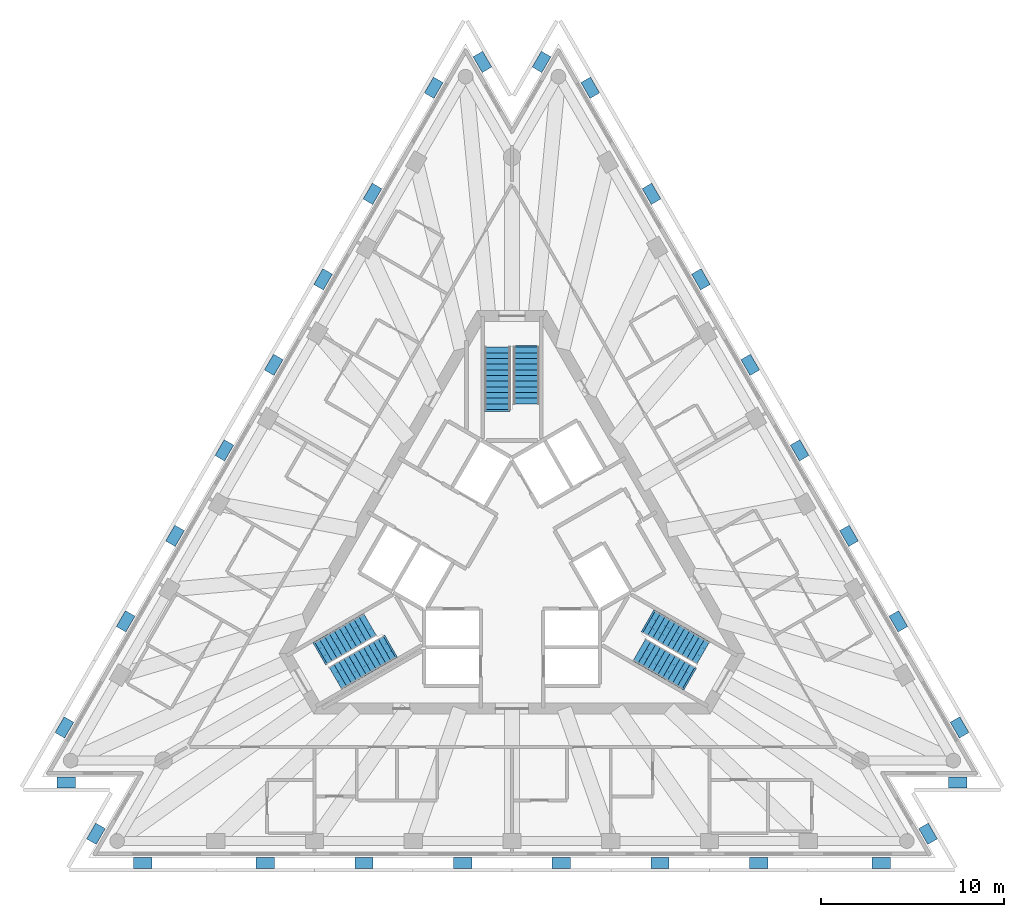
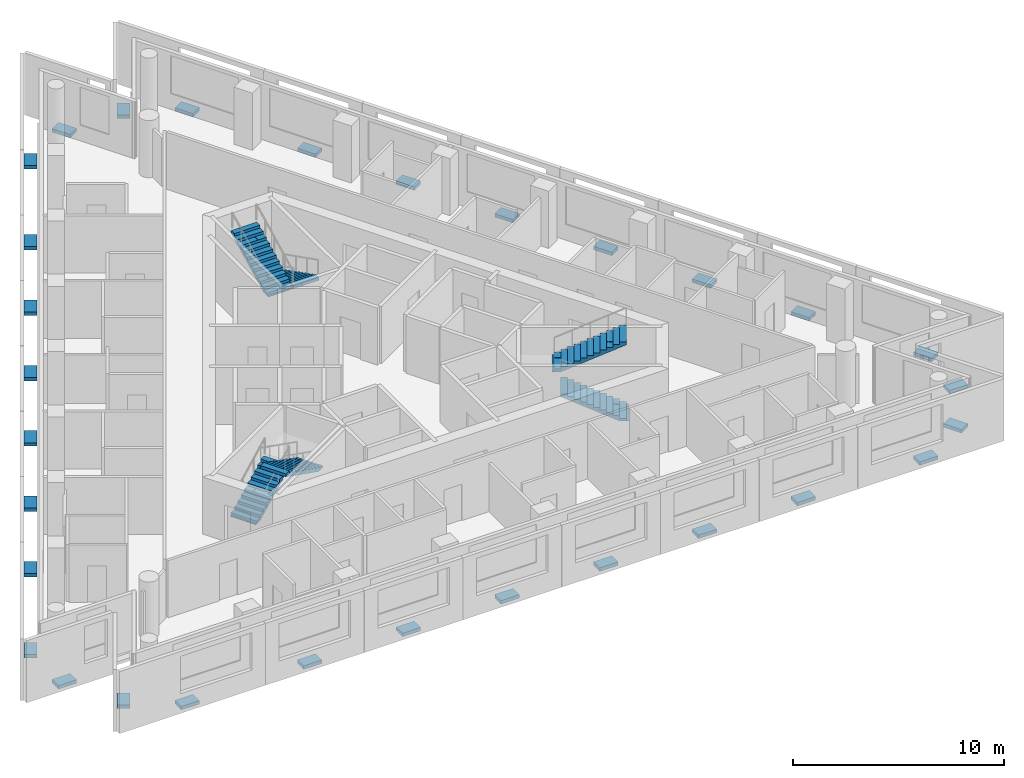
# One storey, part 8 of 10: 30 discrete accessories, 6 stair flights, 3 elements without a shape of their own.
"""IFC4 building model written with IfcOpenShell, lengths in metres."""

import ifcopenshell
import ifcopenshell.guid

model = None  # the IFC model being written
_history = None  # IfcOwnerHistory: only IFC2X3 demands one
_inside = {}  # id of a spatial element -> (the spatial element, [elements in it])
_under = {}  # id of a project, library or spatial element -> (it, [spatial elements below it])
_declared = {}  # id of a project -> (the project, [libraries it declares])
_typed = {}  # id of a type object -> (the type object, [elements of that type])
_made_of = {}  # id of a material, layer set ... -> (it, [elements and type objects made of it])


def new_model(schema):
    """Start an empty IFC model of exactly this schema.

    Asked for "IFC4X3", IfcOpenShell would pick the latest addendum, in which some entities
    have other attributes; the version numbers below select the first issue.
    IFC2X3 requires an IfcOwnerHistory on every rooted entity: one is made here for all.
    """
    global model, _history
    if schema == "IFC4X3":
        model = ifcopenshell.file(schema_version=(4, 3, 0, 0))
    else:
        model = ifcopenshell.file(schema=schema)
    _inside.clear()
    _under.clear()
    _declared.clear()
    _typed.clear()
    _made_of.clear()
    _history = None
    if model.schema == "IFC2X3":
        org = make("IfcOrganization", Name="unknown")
        user = make(
            "IfcPersonAndOrganization",
            ThePerson=make("IfcPerson", FamilyName="unknown"),
            TheOrganization=org,
        )
        app = make(
            "IfcApplication",
            ApplicationDeveloper=org,
            Version="unknown",
            ApplicationFullName="unknown",
            ApplicationIdentifier="unknown",
        )
        _history = make(
            "IfcOwnerHistory",
            OwningUser=user,
            OwningApplication=app,
            ChangeAction="ADDED",
            CreationDate=0,
        )
    return model


def make(cls, **values):
    """One entity of the class cls with the attributes given. An attribute that is None is left unset."""
    return model.create_entity(
        cls, **{name: value for name, value in values.items() if value is not None}
    )


def rooted(cls, **values):
    """An entity with a GlobalId (a new one), such as an element, a storey or a relation."""
    return make(cls, GlobalId=ifcopenshell.guid.new(), OwnerHistory=_history, **values)


def si_unit(unit_type, name, prefix=None):
    """IfcSIUnit, for example si_unit("LENGTHUNIT", "METRE", prefix="MILLI")."""
    return make("IfcSIUnit", UnitType=unit_type, Prefix=prefix, Name=name)


def assignment(units):
    """IfcUnitAssignment: the units of a project."""
    return None if units is None else make("IfcUnitAssignment", Units=units)


def point(xyz):
    """IfcCartesianPoint."""
    return None if xyz is None else make("IfcCartesianPoint", Coordinates=xyz)


def direction(xyz):
    """IfcDirection."""
    return None if xyz is None else make("IfcDirection", DirectionRatios=xyz)


def frame(location, z_axis=None, x_axis=None):
    """IfcAxis2Placement3D, a coordinate frame: its origin and axes. An axis left out is left unset."""
    return make(
        "IfcAxis2Placement3D",
        Location=point(location),
        Axis=direction(z_axis),
        RefDirection=direction(x_axis),
    )


def frame_2d(location, x_axis=None):
    """IfcAxis2Placement2D, a coordinate frame in the plane: its origin and x axis."""
    return make(
        "IfcAxis2Placement2D", Location=point(location), RefDirection=direction(x_axis)
    )


def origin():
    """The frame at (0, 0, 0) with its axes left unset."""
    return frame((0.0, 0.0, 0.0))


def origin_2d():
    """The frame at (0, 0) in the plane with its x axis left unset."""
    return frame_2d((0.0, 0.0))


def place(relative_to, where):
    """IfcLocalPlacement: puts the frame where relative to a parent placement (None: the world)."""
    return make(
        "IfcLocalPlacement", PlacementRelTo=relative_to, RelativePlacement=where
    )


def context(
    kind, dimensions, precision=None, world=None, true_north=None, identifier=None
):
    """IfcGeometricRepresentationContext, for example the 3D "Model" context."""
    return make(
        "IfcGeometricRepresentationContext",
        ContextIdentifier=identifier,
        ContextType=kind,
        CoordinateSpaceDimension=dimensions,
        Precision=precision,
        WorldCoordinateSystem=world,
        TrueNorth=true_north,
    )


def subcontext(parent, identifier, kind, view, scale=None):
    """IfcGeometricRepresentationSubContext, for example "Body" below "Model"."""
    return make(
        "IfcGeometricRepresentationSubContext",
        ContextIdentifier=identifier,
        ContextType=kind,
        ParentContext=parent,
        TargetScale=scale,
        TargetView=view,
    )


def project(units=None, contexts=None):
    """IfcProject with its units and contexts."""
    return rooted(
        "IfcProject",
        Name="project",
        RepresentationContexts=contexts,
        UnitsInContext=assignment(units),
    )


def spatial(cls, under=None, at=None, **own):
    """A site, building, storey or space (cls), placed at a placement, below another one or the project."""
    s = rooted(cls, ObjectPlacement=at, **own)
    if under is not None:
        _under.setdefault(under.id(), (under, []))[1].append(s)
    return s


def polyline(points):
    """IfcPolyline through the points."""
    return make("IfcPolyline", Points=[point(p) for p in points])


def profile(cls, at=None, kind="AREA", **sizes):
    """A parametric profile (cls). Its sizes go by their IFC names, for example OverallWidth=200.0."""
    return make(cls, ProfileType=kind, Position=at, **sizes)


def rectangle(**sizes):
    """IfcRectangleProfileDef."""
    return profile("IfcRectangleProfileDef", **sizes)


def outline(outer, holes=None, kind="AREA"):
    """IfcArbitraryClosedProfileDef: a profile drawn as a closed curve; with holes, ...WithVoids."""
    if holes is None:
        return make("IfcArbitraryClosedProfileDef", ProfileType=kind, OuterCurve=outer)
    return make(
        "IfcArbitraryProfileDefWithVoids",
        ProfileType=kind,
        OuterCurve=outer,
        InnerCurves=holes,
    )


def extrude(swept, where, along, depth):
    """IfcExtrudedAreaSolid: the profile swept, set in the frame where, extruded along a direction by depth."""
    return make(
        "IfcExtrudedAreaSolid",
        SweptArea=swept,
        Position=where,
        ExtrudedDirection=direction(along),
        Depth=depth,
    )


def shape(context_of_items, identifier, shape_type, items):
    """IfcShapeRepresentation: the items that make up one representation, for example the "Body"."""
    return make(
        "IfcShapeRepresentation",
        ContextOfItems=context_of_items,
        RepresentationIdentifier=identifier,
        RepresentationType=shape_type,
        Items=items,
    )


def material(Name=None, Category=None):
    """IfcMaterial."""
    return make("IfcMaterial", Name=Name, Category=Category)


def made_of(thing, what):
    """Note that an element or type object is made of a material, layer set ...; save() writes the relation."""
    if what is not None:
        _made_of.setdefault(what.id(), (what, []))[1].append(thing)
    return thing


def type_object(cls, material=None, **own):
    """A type object (cls), such as IfcWallType, which elements share."""
    return made_of(rooted(cls, **own), material)


def element(
    cls,
    number,
    at=None,
    inside=None,
    cuts=None,
    type_object=None,
    material=None,
    context=None,
    identifier="Body",
    shape_type=None,
    held_by="IfcProductDefinitionShape",
    body=None,
    shapes=None,
    **own,
):
    """One element of the class cls, such as IfcWall. Its Tag is "e" and its number.

    at: its placement. inside: the storey or other place that contains it. cuts: it is an
    opening in that element (IfcRelVoidsElement). A single representation is given by context,
    identifier, shape_type and body (its items); several are given by shapes. held_by: the class
    of the entity that holds the representations. save() writes the other relations.
    """
    e = rooted(cls, Tag="e%d" % number, ObjectPlacement=at, **own)
    if body is not None:
        shapes = [shape(context, identifier, shape_type, body)]
    if shapes is not None:
        e.Representation = make(held_by, Representations=shapes)
    if inside is not None:
        _inside.setdefault(inside.id(), (inside, []))[1].append(e)
    if cuts is not None:
        rooted(
            "IfcRelVoidsElement", RelatingBuildingElement=cuts, RelatedOpeningElement=e
        )
    if type_object is not None:
        _typed.setdefault(type_object.id(), (type_object, []))[1].append(e)
    return made_of(e, material)


def aggregate(whole, parts):
    """IfcRelAggregates: a whole, such as a stair, and the parts it consists of."""
    return rooted("IfcRelAggregates", RelatingObject=whole, RelatedObjects=parts)


def save(model, path):
    """Write the relations noted so far, then the file.

    IfcRelAggregates (storeys below a building ...), IfcRelContainedInSpatialStructure (elements
    in a storey), IfcRelDefinesByType, IfcRelAssociatesMaterial and IfcRelDeclares: one each for
    every whole, place, type object, material and project.
    """
    for whole, parts in _under.values():
        aggregate(whole, parts)
    for where, things in _inside.values():
        rooted(
            "IfcRelContainedInSpatialStructure",
            RelatedElements=things,
            RelatingStructure=where,
        )
    for kind, things in _typed.values():
        rooted("IfcRelDefinesByType", RelatedObjects=things, RelatingType=kind)
    for what, things in _made_of.values():
        rooted("IfcRelAssociatesMaterial", RelatedObjects=things, RelatingMaterial=what)
    for by, libraries in _declared.values():
        rooted("IfcRelDeclares", RelatingContext=by, RelatedDefinitions=libraries)
    model.write(path)


model = new_model("IFC4")

# Units and contexts
model_context = context("Model", 3, precision=1e-05, world=origin(), true_north=direction((0.0, 1.0)))
body_context = subcontext(model_context, "Body", "Model", "MODEL_VIEW")
ifc_project = project(units=[si_unit("LENGTHUNIT", "METRE"), si_unit("AREAUNIT", "SQUARE_METRE"), si_unit("VOLUMEUNIT", "CUBIC_METRE"), si_unit("PLANEANGLEUNIT", "RADIAN"), si_unit("MASSUNIT", "GRAM", prefix="KILO")], contexts=[model_context])

# Site, building, storey
site_placement = place(None, origin())
site = spatial("IfcSite", under=ifc_project, at=site_placement, CompositionType="ELEMENT")
building_placement = place(site_placement, origin())
building = spatial("IfcBuilding", under=site, at=building_placement, Name="Triada Interchange Tower", CompositionType="ELEMENT")
storey_placement = place(building_placement, frame((0.0, 0.0, 297.10009765625)))
storey = spatial("IfcBuildingStorey", under=building, at=storey_placement, Name="L70", CompositionType="ELEMENT", Elevation=297.10009765625)

# Stair, stair flights
ifc_material_1 = material(Name="Concrete C35/45", Category="concrete")
stair_type = type_object("IfcStairType", Name="HALF TURN STAIR 1400", PredefinedType="HALF_TURN_STAIR", material=ifc_material_1)
stair_1_placement = place(storey_placement, origin())
stair_1 = element("IfcStair", 1, at=stair_1_placement, inside=storey, type_object=stair_type, Name="Exit stair S68-1", PredefinedType="HALF_TURN_STAIR")
stair_flight_type = type_object("IfcStairFlightType", Name="STRAIGHT STAIR FLIGHT 1400", PredefinedType="STRAIGHT", material=ifc_material_1)
stair_flight_1_placement = place(storey_placement, frame((0.800048828125, 11.60009765625, 0.0), z_axis=(0.0, 0.0, 1.0), x_axis=(0.0, -1.0, 0.0)))
stair_flight_1 = element("IfcStairFlight", 2, at=stair_flight_1_placement, type_object=stair_flight_type, Name="S68-1 flight 1", NumberOfRisers=11, NumberOfTreads=10, PredefinedType="STRAIGHT", RiserHeight=0.15652, TreadLength=0.31, context=body_context, shape_type="SweptSolid", body=[
    extrude(outline(polyline([(-0.10009765625, 0.0), (-0.10009765625, 0.02001953125), (0.0, 0.02001953125), (0.0, 0.156494140625), (0.31005859375, 0.156494140625), (0.31005859375, 0.31298828125), (0.6201171875, 0.31298828125), (0.6201171875, 0.469482421875), (0.929931640625, 0.469482421875), (0.929931640625, 0.6259765625), (1.239990234375, 0.6259765625), (1.239990234375, 0.78271484375), (1.550048828125, 0.78271484375), (1.550048828125, 0.939208984375), (1.860107421875, 0.939208984375), (1.860107421875, 1.095703125), (2.169921875, 1.095703125), (2.169921875, 1.252197265625), (2.47998046875, 1.252197265625), (2.47998046875, 1.40869140625), (2.7900390625, 1.40869140625), (2.7900390625, 1.565185546875), (3.10009765625, 1.565185546875), (3.10400390625, 1.565185546875), (3.10400390625, 1.7216796875), (3.10400390625, 1.397216796875), (0.33251953125, 0.0), (-0.10009765625, 0.0)])), frame((0.0, 0.699951171875, 0.0), z_axis=(0.0, -1.0, 0.0), x_axis=(1.0, 0.0, 0.0)), (0.0, 0.0, 1.0), 0.46533203125),
    extrude(outline(polyline([(-0.10009765625, 0.0), (-0.10009765625, 0.02001953125), (0.0, 0.02001953125), (0.0, 0.156494140625), (0.31005859375, 0.156494140625), (0.31005859375, 0.31298828125), (0.6201171875, 0.31298828125), (0.6201171875, 0.469482421875), (0.929931640625, 0.469482421875), (0.929931640625, 0.6259765625), (1.239990234375, 0.6259765625), (1.239990234375, 0.78271484375), (1.550048828125, 0.78271484375), (1.550048828125, 0.939208984375), (1.860107421875, 0.939208984375), (1.860107421875, 1.095703125), (2.169921875, 1.095703125), (2.169921875, 1.252197265625), (2.47998046875, 1.252197265625), (2.47998046875, 1.40869140625), (2.7900390625, 1.40869140625), (2.7900390625, 1.565185546875), (3.10009765625, 1.565185546875), (3.10400390625, 1.565185546875), (3.10400390625, 1.7216796875), (3.10400390625, 1.397216796875), (0.33251953125, 0.0), (-0.10009765625, 0.0)])), frame((0.0, 0.232666015625, 0.0), z_axis=(0.0, -1.0, 0.0), x_axis=(1.0, 0.0, 0.0)), (0.0, 0.0, 1.0), 0.46533203125),
    extrude(outline(polyline([(-0.10009765625, 0.0), (-0.10009765625, 0.02001953125), (0.0, 0.02001953125), (0.0, 0.156494140625), (0.31005859375, 0.156494140625), (0.31005859375, 0.31298828125), (0.6201171875, 0.31298828125), (0.6201171875, 0.469482421875), (0.929931640625, 0.469482421875), (0.929931640625, 0.6259765625), (1.239990234375, 0.6259765625), (1.239990234375, 0.78271484375), (1.550048828125, 0.78271484375), (1.550048828125, 0.939208984375), (1.860107421875, 0.939208984375), (1.860107421875, 1.095703125), (2.169921875, 1.095703125), (2.169921875, 1.252197265625), (2.47998046875, 1.252197265625), (2.47998046875, 1.40869140625), (2.7900390625, 1.40869140625), (2.7900390625, 1.565185546875), (3.10009765625, 1.565185546875), (3.10400390625, 1.565185546875), (3.10400390625, 1.7216796875), (3.10400390625, 1.397216796875), (0.33251953125, 0.0), (-0.10009765625, 0.0)])), frame((0.0, -0.234619140625, 0.0), z_axis=(0.0, -1.0, 0.0), x_axis=(1.0, 0.0, 0.0)), (0.0, 0.0, 1.0), 0.46533203125),
])
stair_flight_2_placement = place(storey_placement, frame((-0.800048828125, 8.18994140625, 1.7216796875), z_axis=(0.0, 0.0, 1.0), x_axis=(0.0, 1.0, 0.0)))
stair_flight_2 = element("IfcStairFlight", 3, at=stair_flight_2_placement, type_object=stair_flight_type, Name="S68-1 flight 2", NumberOfRisers=12, NumberOfTreads=11, PredefinedType="STRAIGHT", RiserHeight=0.15652, TreadLength=0.31, context=body_context, shape_type="SweptSolid", body=[
    extrude(outline(polyline([(-0.10009765625, 0.0), (-0.10009765625, 0.02001953125), (0.0, 0.02001953125), (0.0, 0.156494140625), (0.31005859375, 0.156494140625), (0.31005859375, 0.31298828125), (0.6201171875, 0.31298828125), (0.6201171875, 0.469482421875), (0.929931640625, 0.469482421875), (0.929931640625, 0.6259765625), (1.239990234375, 0.6259765625), (1.239990234375, 0.78271484375), (1.550048828125, 0.78271484375), (1.550048828125, 0.939208984375), (1.860107421875, 0.939208984375), (1.860107421875, 1.095703125), (2.169921875, 1.095703125), (2.169921875, 1.252197265625), (2.47998046875, 1.252197265625), (2.47998046875, 1.40869140625), (2.7900390625, 1.40869140625), (2.7900390625, 1.565185546875), (3.10009765625, 1.565185546875), (3.10009765625, 1.7216796875), (3.409912109375, 1.7216796875), (3.4140625, 1.7216796875), (3.4140625, 1.878173828125), (3.4140625, 1.5537109375), (0.33251953125, 0.0), (-0.10009765625, 0.0)])), frame((0.0, 0.699951171875, 0.0), z_axis=(0.0, -1.0, 0.0), x_axis=(1.0, 0.0, 0.0)), (0.0, 0.0, 1.0), 0.46533203125),
    extrude(outline(polyline([(-0.10009765625, 0.0), (-0.10009765625, 0.02001953125), (0.0, 0.02001953125), (0.0, 0.156494140625), (0.31005859375, 0.156494140625), (0.31005859375, 0.31298828125), (0.6201171875, 0.31298828125), (0.6201171875, 0.469482421875), (0.929931640625, 0.469482421875), (0.929931640625, 0.6259765625), (1.239990234375, 0.6259765625), (1.239990234375, 0.78271484375), (1.550048828125, 0.78271484375), (1.550048828125, 0.939208984375), (1.860107421875, 0.939208984375), (1.860107421875, 1.095703125), (2.169921875, 1.095703125), (2.169921875, 1.252197265625), (2.47998046875, 1.252197265625), (2.47998046875, 1.40869140625), (2.7900390625, 1.40869140625), (2.7900390625, 1.565185546875), (3.10009765625, 1.565185546875), (3.10009765625, 1.7216796875), (3.409912109375, 1.7216796875), (3.4140625, 1.7216796875), (3.4140625, 1.878173828125), (3.4140625, 1.5537109375), (0.33251953125, 0.0), (-0.10009765625, 0.0)])), frame((0.0, 0.232666015625, 0.0), z_axis=(0.0, -1.0, 0.0), x_axis=(1.0, 0.0, 0.0)), (0.0, 0.0, 1.0), 0.46533203125),
    extrude(outline(polyline([(-0.10009765625, 0.0), (-0.10009765625, 0.02001953125), (0.0, 0.02001953125), (0.0, 0.156494140625), (0.31005859375, 0.156494140625), (0.31005859375, 0.31298828125), (0.6201171875, 0.31298828125), (0.6201171875, 0.469482421875), (0.929931640625, 0.469482421875), (0.929931640625, 0.6259765625), (1.239990234375, 0.6259765625), (1.239990234375, 0.78271484375), (1.550048828125, 0.78271484375), (1.550048828125, 0.939208984375), (1.860107421875, 0.939208984375), (1.860107421875, 1.095703125), (2.169921875, 1.095703125), (2.169921875, 1.252197265625), (2.47998046875, 1.252197265625), (2.47998046875, 1.40869140625), (2.7900390625, 1.40869140625), (2.7900390625, 1.565185546875), (3.10009765625, 1.565185546875), (3.10009765625, 1.7216796875), (3.409912109375, 1.7216796875), (3.4140625, 1.7216796875), (3.4140625, 1.878173828125), (3.4140625, 1.5537109375), (0.33251953125, 0.0), (-0.10009765625, 0.0)])), frame((0.0, -0.234619140625, 0.0), z_axis=(0.0, -1.0, 0.0), x_axis=(1.0, 0.0, 0.0)), (0.0, 0.0, 1.0), 0.46533203125),
])
aggregate(stair_1, [stair_flight_1, stair_flight_2])

stair_2_placement = place(storey_placement, origin())
stair_2 = element("IfcStair", 4, at=stair_2_placement, inside=storey, type_object=stair_type, Name="Exit stair S68-2", PredefinedType="HALF_TURN_STAIR")
stair_flight_3_placement = place(storey_placement, frame((-10.446044921875, -5.10693359375, 0.0), z_axis=(0.0, 0.0, 1.0), x_axis=(0.866025403784, 0.5, 0.0)))
stair_flight_3 = element("IfcStairFlight", 5, at=stair_flight_3_placement, type_object=stair_flight_type, Name="S68-2 flight 1", NumberOfRisers=11, NumberOfTreads=10, PredefinedType="STRAIGHT", RiserHeight=0.15652, TreadLength=0.31, context=body_context, shape_type="SweptSolid", body=[
    extrude(outline(polyline([(-0.10009765625, 0.0), (-0.10009765625, 0.02001953125), (0.0, 0.02001953125), (0.0, 0.156494140625), (0.31005859375, 0.156494140625), (0.31005859375, 0.31298828125), (0.6201171875, 0.31298828125), (0.6201171875, 0.469482421875), (0.929931640625, 0.469482421875), (0.929931640625, 0.6259765625), (1.239990234375, 0.6259765625), (1.239990234375, 0.78271484375), (1.550048828125, 0.78271484375), (1.550048828125, 0.939208984375), (1.860107421875, 0.939208984375), (1.860107421875, 1.095703125), (2.169921875, 1.095703125), (2.169921875, 1.252197265625), (2.47998046875, 1.252197265625), (2.47998046875, 1.40869140625), (2.7900390625, 1.40869140625), (2.7900390625, 1.565185546875), (3.10009765625, 1.565185546875), (3.10400390625, 1.565185546875), (3.10400390625, 1.7216796875), (3.10400390625, 1.397216796875), (0.33251953125, 0.0), (-0.10009765625, 0.0)])), frame((0.0, 0.699951171875, 0.0), z_axis=(0.0, -1.0, 0.0), x_axis=(1.0, 0.0, 0.0)), (0.0, 0.0, 1.0), 0.46533203125),
    extrude(outline(polyline([(-0.10009765625, 0.0), (-0.10009765625, 0.02001953125), (0.0, 0.02001953125), (0.0, 0.156494140625), (0.31005859375, 0.156494140625), (0.31005859375, 0.31298828125), (0.6201171875, 0.31298828125), (0.6201171875, 0.469482421875), (0.929931640625, 0.469482421875), (0.929931640625, 0.6259765625), (1.239990234375, 0.6259765625), (1.239990234375, 0.78271484375), (1.550048828125, 0.78271484375), (1.550048828125, 0.939208984375), (1.860107421875, 0.939208984375), (1.860107421875, 1.095703125), (2.169921875, 1.095703125), (2.169921875, 1.252197265625), (2.47998046875, 1.252197265625), (2.47998046875, 1.40869140625), (2.7900390625, 1.40869140625), (2.7900390625, 1.565185546875), (3.10009765625, 1.565185546875), (3.10400390625, 1.565185546875), (3.10400390625, 1.7216796875), (3.10400390625, 1.397216796875), (0.33251953125, 0.0), (-0.10009765625, 0.0)])), frame((0.0, 0.232666015625, 0.0), z_axis=(0.0, -1.0, 0.0), x_axis=(1.0, 0.0, 0.0)), (0.0, 0.0, 1.0), 0.46533203125),
    extrude(outline(polyline([(-0.10009765625, 0.0), (-0.10009765625, 0.02001953125), (0.0, 0.02001953125), (0.0, 0.156494140625), (0.31005859375, 0.156494140625), (0.31005859375, 0.31298828125), (0.6201171875, 0.31298828125), (0.6201171875, 0.469482421875), (0.929931640625, 0.469482421875), (0.929931640625, 0.6259765625), (1.239990234375, 0.6259765625), (1.239990234375, 0.78271484375), (1.550048828125, 0.78271484375), (1.550048828125, 0.939208984375), (1.860107421875, 0.939208984375), (1.860107421875, 1.095703125), (2.169921875, 1.095703125), (2.169921875, 1.252197265625), (2.47998046875, 1.252197265625), (2.47998046875, 1.40869140625), (2.7900390625, 1.40869140625), (2.7900390625, 1.565185546875), (3.10009765625, 1.565185546875), (3.10400390625, 1.565185546875), (3.10400390625, 1.7216796875), (3.10400390625, 1.397216796875), (0.33251953125, 0.0), (-0.10009765625, 0.0)])), frame((0.0, -0.234619140625, 0.0), z_axis=(0.0, -1.0, 0.0), x_axis=(1.0, 0.0, 0.0)), (0.0, 0.0, 1.0), 0.46533203125),
])
stair_flight_4_placement = place(storey_placement, frame((-6.693115234375, -4.7880859375, 1.7216796875), z_axis=(0.0, 0.0, 1.0), x_axis=(-0.866025403784, -0.5, 0.0)))
stair_flight_4 = element("IfcStairFlight", 6, at=stair_flight_4_placement, type_object=stair_flight_type, Name="S68-2 flight 2", NumberOfRisers=12, NumberOfTreads=11, PredefinedType="STRAIGHT", RiserHeight=0.15652, TreadLength=0.31, context=body_context, shape_type="SweptSolid", body=[
    extrude(outline(polyline([(-0.10009765625, 0.0), (-0.10009765625, 0.02001953125), (0.0, 0.02001953125), (0.0, 0.156494140625), (0.31005859375, 0.156494140625), (0.31005859375, 0.31298828125), (0.6201171875, 0.31298828125), (0.6201171875, 0.469482421875), (0.929931640625, 0.469482421875), (0.929931640625, 0.6259765625), (1.239990234375, 0.6259765625), (1.239990234375, 0.78271484375), (1.550048828125, 0.78271484375), (1.550048828125, 0.939208984375), (1.860107421875, 0.939208984375), (1.860107421875, 1.095703125), (2.169921875, 1.095703125), (2.169921875, 1.252197265625), (2.47998046875, 1.252197265625), (2.47998046875, 1.40869140625), (2.7900390625, 1.40869140625), (2.7900390625, 1.565185546875), (3.10009765625, 1.565185546875), (3.10009765625, 1.7216796875), (3.409912109375, 1.7216796875), (3.4140625, 1.7216796875), (3.4140625, 1.878173828125), (3.4140625, 1.5537109375), (0.33251953125, 0.0), (-0.10009765625, 0.0)])), frame((0.0, 0.699951171875, 0.0), z_axis=(0.0, -1.0, 0.0), x_axis=(1.0, 0.0, 0.0)), (0.0, 0.0, 1.0), 0.46533203125),
    extrude(outline(polyline([(-0.10009765625, 0.0), (-0.10009765625, 0.02001953125), (0.0, 0.02001953125), (0.0, 0.156494140625), (0.31005859375, 0.156494140625), (0.31005859375, 0.31298828125), (0.6201171875, 0.31298828125), (0.6201171875, 0.469482421875), (0.929931640625, 0.469482421875), (0.929931640625, 0.6259765625), (1.239990234375, 0.6259765625), (1.239990234375, 0.78271484375), (1.550048828125, 0.78271484375), (1.550048828125, 0.939208984375), (1.860107421875, 0.939208984375), (1.860107421875, 1.095703125), (2.169921875, 1.095703125), (2.169921875, 1.252197265625), (2.47998046875, 1.252197265625), (2.47998046875, 1.40869140625), (2.7900390625, 1.40869140625), (2.7900390625, 1.565185546875), (3.10009765625, 1.565185546875), (3.10009765625, 1.7216796875), (3.409912109375, 1.7216796875), (3.4140625, 1.7216796875), (3.4140625, 1.878173828125), (3.4140625, 1.5537109375), (0.33251953125, 0.0), (-0.10009765625, 0.0)])), frame((0.0, 0.232666015625, 0.0), z_axis=(0.0, -1.0, 0.0), x_axis=(1.0, 0.0, 0.0)), (0.0, 0.0, 1.0), 0.46533203125),
    extrude(outline(polyline([(-0.10009765625, 0.0), (-0.10009765625, 0.02001953125), (0.0, 0.02001953125), (0.0, 0.156494140625), (0.31005859375, 0.156494140625), (0.31005859375, 0.31298828125), (0.6201171875, 0.31298828125), (0.6201171875, 0.469482421875), (0.929931640625, 0.469482421875), (0.929931640625, 0.6259765625), (1.239990234375, 0.6259765625), (1.239990234375, 0.78271484375), (1.550048828125, 0.78271484375), (1.550048828125, 0.939208984375), (1.860107421875, 0.939208984375), (1.860107421875, 1.095703125), (2.169921875, 1.095703125), (2.169921875, 1.252197265625), (2.47998046875, 1.252197265625), (2.47998046875, 1.40869140625), (2.7900390625, 1.40869140625), (2.7900390625, 1.565185546875), (3.10009765625, 1.565185546875), (3.10009765625, 1.7216796875), (3.409912109375, 1.7216796875), (3.4140625, 1.7216796875), (3.4140625, 1.878173828125), (3.4140625, 1.5537109375), (0.33251953125, 0.0), (-0.10009765625, 0.0)])), frame((0.0, -0.234619140625, 0.0), z_axis=(0.0, -1.0, 0.0), x_axis=(1.0, 0.0, 0.0)), (0.0, 0.0, 1.0), 0.46533203125),
])
aggregate(stair_2, [stair_flight_3, stair_flight_4])

stair_3_placement = place(storey_placement, origin())
stair_3 = element("IfcStair", 7, at=stair_3_placement, inside=storey, type_object=stair_type, Name="Exit stair S68-3", PredefinedType="HALF_TURN_STAIR")
stair_flight_5_placement = place(storey_placement, frame((9.64599609375, -6.492919921875, 0.0), z_axis=(0.0, 0.0, 1.0), x_axis=(-0.866025403784, 0.5, 0.0)))
stair_flight_5 = element("IfcStairFlight", 8, at=stair_flight_5_placement, type_object=stair_flight_type, Name="S68-3 flight 1", NumberOfRisers=11, NumberOfTreads=10, PredefinedType="STRAIGHT", RiserHeight=0.15652, TreadLength=0.31, context=body_context, shape_type="SweptSolid", body=[
    extrude(outline(polyline([(-0.10009765625, 0.0), (-0.10009765625, 0.02001953125), (0.0, 0.02001953125), (0.0, 0.156494140625), (0.31005859375, 0.156494140625), (0.31005859375, 0.31298828125), (0.6201171875, 0.31298828125), (0.6201171875, 0.469482421875), (0.929931640625, 0.469482421875), (0.929931640625, 0.6259765625), (1.239990234375, 0.6259765625), (1.239990234375, 0.78271484375), (1.550048828125, 0.78271484375), (1.550048828125, 0.939208984375), (1.860107421875, 0.939208984375), (1.860107421875, 1.095703125), (2.169921875, 1.095703125), (2.169921875, 1.252197265625), (2.47998046875, 1.252197265625), (2.47998046875, 1.40869140625), (2.7900390625, 1.40869140625), (2.7900390625, 1.565185546875), (3.10009765625, 1.565185546875), (3.10400390625, 1.565185546875), (3.10400390625, 1.7216796875), (3.10400390625, 1.397216796875), (0.33251953125, 0.0), (-0.10009765625, 0.0)])), frame((0.0, 0.699951171875, 0.0), z_axis=(0.0, -1.0, 0.0), x_axis=(1.0, 0.0, 0.0)), (0.0, 0.0, 1.0), 0.46533203125),
    extrude(outline(polyline([(-0.10009765625, 0.0), (-0.10009765625, 0.02001953125), (0.0, 0.02001953125), (0.0, 0.156494140625), (0.31005859375, 0.156494140625), (0.31005859375, 0.31298828125), (0.6201171875, 0.31298828125), (0.6201171875, 0.469482421875), (0.929931640625, 0.469482421875), (0.929931640625, 0.6259765625), (1.239990234375, 0.6259765625), (1.239990234375, 0.78271484375), (1.550048828125, 0.78271484375), (1.550048828125, 0.939208984375), (1.860107421875, 0.939208984375), (1.860107421875, 1.095703125), (2.169921875, 1.095703125), (2.169921875, 1.252197265625), (2.47998046875, 1.252197265625), (2.47998046875, 1.40869140625), (2.7900390625, 1.40869140625), (2.7900390625, 1.565185546875), (3.10009765625, 1.565185546875), (3.10400390625, 1.565185546875), (3.10400390625, 1.7216796875), (3.10400390625, 1.397216796875), (0.33251953125, 0.0), (-0.10009765625, 0.0)])), frame((0.0, 0.232666015625, 0.0), z_axis=(0.0, -1.0, 0.0), x_axis=(1.0, 0.0, 0.0)), (0.0, 0.0, 1.0), 0.46533203125),
    extrude(outline(polyline([(-0.10009765625, 0.0), (-0.10009765625, 0.02001953125), (0.0, 0.02001953125), (0.0, 0.156494140625), (0.31005859375, 0.156494140625), (0.31005859375, 0.31298828125), (0.6201171875, 0.31298828125), (0.6201171875, 0.469482421875), (0.929931640625, 0.469482421875), (0.929931640625, 0.6259765625), (1.239990234375, 0.6259765625), (1.239990234375, 0.78271484375), (1.550048828125, 0.78271484375), (1.550048828125, 0.939208984375), (1.860107421875, 0.939208984375), (1.860107421875, 1.095703125), (2.169921875, 1.095703125), (2.169921875, 1.252197265625), (2.47998046875, 1.252197265625), (2.47998046875, 1.40869140625), (2.7900390625, 1.40869140625), (2.7900390625, 1.565185546875), (3.10009765625, 1.565185546875), (3.10400390625, 1.565185546875), (3.10400390625, 1.7216796875), (3.10400390625, 1.397216796875), (0.33251953125, 0.0), (-0.10009765625, 0.0)])), frame((0.0, -0.234619140625, 0.0), z_axis=(0.0, -1.0, 0.0), x_axis=(1.0, 0.0, 0.0)), (0.0, 0.0, 1.0), 0.46533203125),
])
stair_flight_6_placement = place(storey_placement, frame((7.492919921875, -3.402099609375, 1.7216796875), z_axis=(0.0, 0.0, 1.0), x_axis=(0.866025403784, -0.5, 0.0)))
stair_flight_6 = element("IfcStairFlight", 9, at=stair_flight_6_placement, type_object=stair_flight_type, Name="S68-3 flight 2", NumberOfRisers=12, NumberOfTreads=11, PredefinedType="STRAIGHT", RiserHeight=0.15652, TreadLength=0.31, context=body_context, shape_type="SweptSolid", body=[
    extrude(outline(polyline([(-0.10009765625, 0.0), (-0.10009765625, 0.02001953125), (0.0, 0.02001953125), (0.0, 0.156494140625), (0.31005859375, 0.156494140625), (0.31005859375, 0.31298828125), (0.6201171875, 0.31298828125), (0.6201171875, 0.469482421875), (0.929931640625, 0.469482421875), (0.929931640625, 0.6259765625), (1.239990234375, 0.6259765625), (1.239990234375, 0.78271484375), (1.550048828125, 0.78271484375), (1.550048828125, 0.939208984375), (1.860107421875, 0.939208984375), (1.860107421875, 1.095703125), (2.169921875, 1.095703125), (2.169921875, 1.252197265625), (2.47998046875, 1.252197265625), (2.47998046875, 1.40869140625), (2.7900390625, 1.40869140625), (2.7900390625, 1.565185546875), (3.10009765625, 1.565185546875), (3.10009765625, 1.7216796875), (3.409912109375, 1.7216796875), (3.4140625, 1.7216796875), (3.4140625, 1.878173828125), (3.4140625, 1.5537109375), (0.33251953125, 0.0), (-0.10009765625, 0.0)])), frame((0.0, 0.699951171875, 0.0), z_axis=(0.0, -1.0, 0.0), x_axis=(1.0, 0.0, 0.0)), (0.0, 0.0, 1.0), 0.46533203125),
    extrude(outline(polyline([(-0.10009765625, 0.0), (-0.10009765625, 0.02001953125), (0.0, 0.02001953125), (0.0, 0.156494140625), (0.31005859375, 0.156494140625), (0.31005859375, 0.31298828125), (0.6201171875, 0.31298828125), (0.6201171875, 0.469482421875), (0.929931640625, 0.469482421875), (0.929931640625, 0.6259765625), (1.239990234375, 0.6259765625), (1.239990234375, 0.78271484375), (1.550048828125, 0.78271484375), (1.550048828125, 0.939208984375), (1.860107421875, 0.939208984375), (1.860107421875, 1.095703125), (2.169921875, 1.095703125), (2.169921875, 1.252197265625), (2.47998046875, 1.252197265625), (2.47998046875, 1.40869140625), (2.7900390625, 1.40869140625), (2.7900390625, 1.565185546875), (3.10009765625, 1.565185546875), (3.10009765625, 1.7216796875), (3.409912109375, 1.7216796875), (3.4140625, 1.7216796875), (3.4140625, 1.878173828125), (3.4140625, 1.5537109375), (0.33251953125, 0.0), (-0.10009765625, 0.0)])), frame((0.0, 0.232666015625, 0.0), z_axis=(0.0, -1.0, 0.0), x_axis=(1.0, 0.0, 0.0)), (0.0, 0.0, 1.0), 0.46533203125),
    extrude(outline(polyline([(-0.10009765625, 0.0), (-0.10009765625, 0.02001953125), (0.0, 0.02001953125), (0.0, 0.156494140625), (0.31005859375, 0.156494140625), (0.31005859375, 0.31298828125), (0.6201171875, 0.31298828125), (0.6201171875, 0.469482421875), (0.929931640625, 0.469482421875), (0.929931640625, 0.6259765625), (1.239990234375, 0.6259765625), (1.239990234375, 0.78271484375), (1.550048828125, 0.78271484375), (1.550048828125, 0.939208984375), (1.860107421875, 0.939208984375), (1.860107421875, 1.095703125), (2.169921875, 1.095703125), (2.169921875, 1.252197265625), (2.47998046875, 1.252197265625), (2.47998046875, 1.40869140625), (2.7900390625, 1.40869140625), (2.7900390625, 1.565185546875), (3.10009765625, 1.565185546875), (3.10009765625, 1.7216796875), (3.409912109375, 1.7216796875), (3.4140625, 1.7216796875), (3.4140625, 1.878173828125), (3.4140625, 1.5537109375), (0.33251953125, 0.0), (-0.10009765625, 0.0)])), frame((0.0, -0.234619140625, 0.0), z_axis=(0.0, -1.0, 0.0), x_axis=(1.0, 0.0, 0.0)), (0.0, 0.0, 1.0), 0.46533203125),
])
aggregate(stair_3, [stair_flight_5, stair_flight_6])

# Discrete accessories
ifc_material_2 = material(Name="Steel S355", Category="steel")
discrete_accessory_type = type_object("IfcDiscreteAccessoryType", Name="Steel bracket outer skin", PredefinedType="BRACKET", material=ifc_material_2)
for number, where, z_axis, x_axis, name in (
    (10, (-4.277099609375, 25.77099609375, -0.27001953125), (0.0, 0.0, 1.0), (-0.866022925406, 0.500004292652, 0.0), "Bracket L70 01"),
    (11, (-7.6240234375, 19.97412109375, -0.27001953125), (0.0, 0.0, 1.0), (-0.866022925406, 0.500004292652, 0.0), "Bracket L70 02"),
    (12, (-10.321044921875, 15.302978515625, -0.27001953125), (0.0, 0.0, 1.0), (-0.866022925406, 0.500004292652, 0.0), "Bracket L70 03"),
    (13, (-13.01904296875, 10.631103515625, -0.27001953125), (0.0, 0.0, 1.0), (-0.866022925406, 0.500004292652, 0.0), "Bracket L70 04"),
    (14, (-15.716064453125, 5.958984375, -0.27001953125), (0.0, 0.0, 1.0), (-0.866022925406, 0.500004292652, 0.0), "Bracket L70 05"),
    (15, (-18.4130859375, 1.287109375, -0.27001953125), (0.0, 0.0, 1.0), (-0.866022925406, 0.500004292652, 0.0), "Bracket L70 06"),
    (16, (-21.110107421875, -3.384033203125, -0.27001953125), (0.0, 0.0, 1.0), (-0.866022925406, 0.500004292652, 0.0), "Bracket L70 07"),
    (17, (-24.45703125, -9.180908203125, -0.27001953125), (0.0, 0.0, 1.0), (-0.866022925406, 0.500004292652, 0.0), "Bracket L70 08"),
    (18, (-24.34912109375, -12.19189453125, -0.27001953125), (0.0, 0.0, 1.0), (0.0, -1.0, 0.0), "Bracket L70 09"),
    (19, (-22.73291015625, -14.990966796875, -0.27001953125), (0.0, 0.0, 1.0), (-0.866041303296, 0.499972460227, 0.0), "Bracket L70 10"),
    (20, (-20.178955078125, -16.590087890625, -0.27001953125), (0.0, 0.0, 1.0), (0.0, -1.0, 0.0), "Bracket L70 11"),
    (21, (-13.486083984375, -16.590087890625, -0.27001953125), (0.0, 0.0, 1.0), (0.0, -1.0, 0.0), "Bracket L70 12"),
    (22, (-8.091064453125, -16.590087890625, -0.27001953125), (0.0, 0.0, 1.0), (0.0, -1.0, 0.0), "Bracket L70 13"),
    (23, (-2.697021484375, -16.590087890625, -0.27001953125), (0.0, 0.0, 1.0), (0.0, -1.0, 0.0), "Bracket L70 14"),
    (24, (2.697021484375, -16.590087890625, -0.27001953125), (0.0, 0.0, 1.0), (0.0, -1.0, 0.0), "Bracket L70 15"),
    (25, (8.091064453125, -16.590087890625, -0.27001953125), (0.0, 0.0, 1.0), (0.0, -1.0, 0.0), "Bracket L70 16"),
    (26, (13.486083984375, -16.590087890625, -0.27001953125), (0.0, 0.0, 1.0), (0.0, -1.0, 0.0), "Bracket L70 17"),
    (27, (20.178955078125, -16.590087890625, -0.27001953125), (0.0, 0.0, 1.0), (0.0, -1.0, 0.0), "Bracket L70 18"),
    (28, (22.73291015625, -14.990966796875, -0.27001953125), (0.0, 0.0, 1.0), (0.866041303296, 0.499972460227, 0.0), "Bracket L70 19"),
    (29, (24.34912109375, -12.19189453125, -0.27001953125), (0.0, 0.0, 1.0), (0.0, -1.0, 0.0), "Bracket L70 20"),
    (30, (24.45703125, -9.180908203125, -0.27001953125), (0.0, 0.0, 1.0), (0.866022925406, 0.500004292652, 0.0), "Bracket L70 21"),
    (31, (21.110107421875, -3.384033203125, -0.27001953125), (0.0, 0.0, 1.0), (0.866022925406, 0.500004292652, 0.0), "Bracket L70 22"),
    (32, (18.4130859375, 1.287109375, -0.27001953125), (0.0, 0.0, 1.0), (0.866022925406, 0.500004292652, 0.0), "Bracket L70 23"),
    (33, (15.716064453125, 5.958984375, -0.27001953125), (0.0, 0.0, 1.0), (0.866022925406, 0.500004292652, 0.0), "Bracket L70 24"),
    (34, (13.01904296875, 10.631103515625, -0.27001953125), (0.0, 0.0, 1.0), (0.866022925406, 0.500004292652, 0.0), "Bracket L70 25"),
    (35, (10.321044921875, 15.302978515625, -0.27001953125), (0.0, 0.0, 1.0), (0.866022925406, 0.500004292652, 0.0), "Bracket L70 26"),
    (36, (7.6240234375, 19.97412109375, -0.27001953125), (0.0, 0.0, 1.0), (0.866022925406, 0.500004292652, 0.0), "Bracket L70 27"),
    (37, (4.277099609375, 25.77099609375, -0.27001953125), (0.0, 0.0, 1.0), (0.866022925406, 0.500004292652, 0.0), "Bracket L70 28"),
    (38, (1.615966796875, 27.18310546875, -0.27001953125), (0.0, 0.0, 1.0), (-0.866090514674, 0.499887207669, 0.0), "Bracket L70 29"),
    (39, (-1.615966796875, 27.18310546875, -0.27001953125), (0.0, 0.0, 1.0), (0.866090514674, 0.499887207669, 0.0), "Bracket L70 30"),
):
    element("IfcDiscreteAccessory", number, at=place(storey_placement, frame(where, z_axis=z_axis, x_axis=x_axis)), inside=storey, type_object=discrete_accessory_type, Name=name, PredefinedType="BRACKET", context=body_context, shape_type="SweptSolid", body=[
        extrude(rectangle(XDim=0.60009765625, YDim=1.0, at=origin_2d()), origin(), (0.0, 0.0, 1.0), 0.199951171875),
    ])

save(model, "model.ifc")
